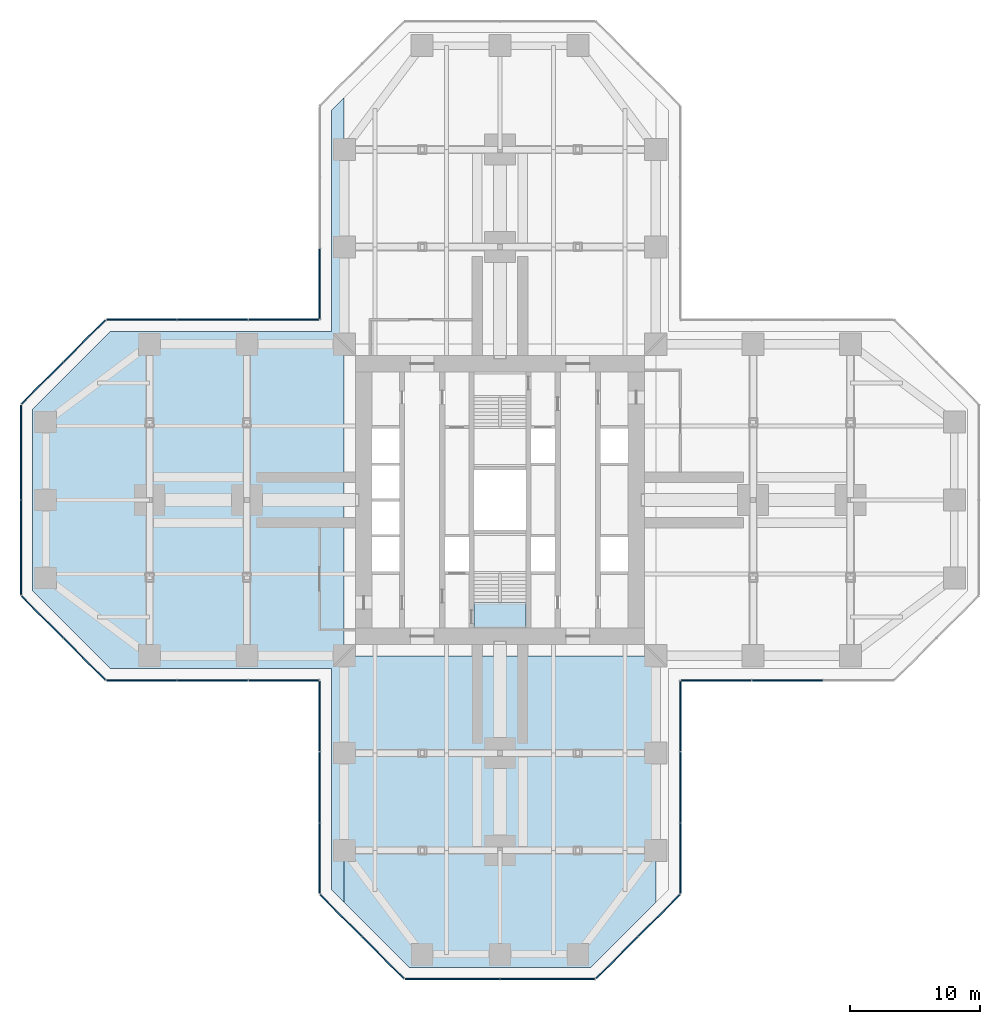
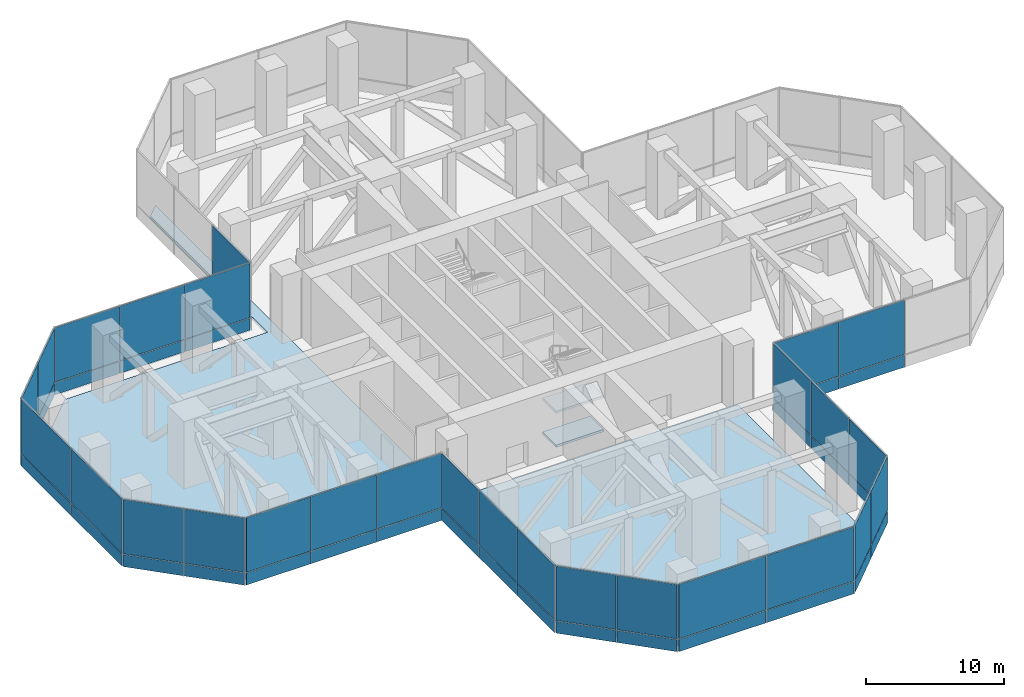
# One storey, part 12 of 19: 54 plates, 4 slabs, 13 elements without a shape of their own.
"""IFC4 building model written with IfcOpenShell, lengths in metres."""

from ifc_helpers import new_model, si_unit, direction, frame, origin, origin_2d, place, context, subcontext, project, spatial, polyline, rectangle, outline, extrude, material, layer, layer_set, type_object, element, aggregate, save


model = new_model("IFC4")

# Units and contexts
model_context = context("Model", 3, precision=1e-05, world=origin(), true_north=direction((0.0, 1.0)))
body_context = subcontext(model_context, "Body", "Model", "MODEL_VIEW")
ifc_project = project(units=[si_unit("LENGTHUNIT", "METRE"), si_unit("AREAUNIT", "SQUARE_METRE"), si_unit("VOLUMEUNIT", "CUBIC_METRE"), si_unit("PLANEANGLEUNIT", "RADIAN"), si_unit("MASSUNIT", "GRAM", prefix="KILO")], contexts=[model_context])

# Site, building, storey
site_placement = place(None, origin())
site = spatial("IfcSite", under=ifc_project, at=site_placement, CompositionType="ELEMENT")
building_placement = place(site_placement, origin())
building = spatial("IfcBuilding", under=site, at=building_placement, Name="Mizan Broadcast Tower", CompositionType="ELEMENT")
storey_placement = place(building_placement, frame((0.0, 0.0, 37.5)))
storey = spatial("IfcBuildingStorey", under=building, at=storey_placement, Name="L06", CompositionType="ELEMENT", Elevation=37.5)

# Curtain wall, plates
ifc_material_1 = material(Name="Aluminium framed glazing", Category="aluminium")
curtain_wall_type = type_object("IfcCurtainWallType", Name="PLANT LOUVRE", PredefinedType="USERDEFINED", material=ifc_material_1)
curtain_wall_1_placement = place(storey_placement, origin())
curtain_wall_1 = element("IfcCurtainWall", 1, at=curtain_wall_1_placement, inside=storey, type_object=curtain_wall_type, Name="Plant louvre L06 E side", ObjectType="PLANT LOUVRE", PredefinedType="USERDEFINED")
ifc_material_2 = material(Name="Extruded aluminium weather louvre, pale anodised", Category="aluminium")
ifc_layer_1 = layer(ifc_material_2, 0.10009765625)
ifc_layer_set_1 = layer_set([ifc_layer_1], Name="Extruded aluminium weather louvre, pale anodised")
plate_type = type_object("IfcPlateType", Name="PLANT LOUVRE PANEL", PredefinedType="USERDEFINED", material=ifc_layer_set_1)
plate_1_placement = place(storey_placement, frame((16.660400390625, -13.89990234375, 0.0), z_axis=(0.0, 0.0, 1.0), x_axis=(1.0, 0.0, 0.0)))
plate_1 = element("IfcPlate", 2, at=plate_1_placement, type_object=plate_type, Name="Plant louvre L06 E side panel 1.1", ObjectType="LOUVRE", PredefinedType="USERDEFINED", context=body_context, shape_type="SweptSolid", body=[
    extrude(rectangle(XDim=5.40087890625, YDim=0.10009765625, at=origin_2d()), origin(), (0.0, 0.0, 1.0), 1.070068359375),
])
plate_2_placement = place(storey_placement, frame((16.660400390625, -13.89990234375, 1.1298828125), z_axis=(0.0, 0.0, 1.0), x_axis=(1.0, 0.0, 0.0)))
plate_2 = element("IfcPlate", 3, at=plate_2_placement, type_object=plate_type, Name="Plant louvre L06 E side panel 1.2", ObjectType="LOUVRE", PredefinedType="USERDEFINED", context=body_context, shape_type="SweptSolid", body=[
    extrude(rectangle(XDim=5.40087890625, YDim=0.10009765625, at=origin_2d()), origin(), (0.0, 0.0, 1.0), 4.81005859375),
])
plate_3_placement = place(storey_placement, frame((22.136474609375, -13.89990234375, 0.0), z_axis=(0.0, 0.0, 1.0), x_axis=(1.0, 0.0, 0.0)))
plate_3 = element("IfcPlate", 4, at=plate_3_placement, type_object=plate_type, Name="Plant louvre L06 E side panel 2.1", ObjectType="LOUVRE", PredefinedType="USERDEFINED", context=body_context, shape_type="SweptSolid", body=[
    extrude(rectangle(XDim=5.430908203125, YDim=0.10009765625, at=origin_2d()), origin(), (0.0, 0.0, 1.0), 1.070068359375),
])
plate_4_placement = place(storey_placement, frame((22.136474609375, -13.89990234375, 1.1298828125), z_axis=(0.0, 0.0, 1.0), x_axis=(1.0, 0.0, 0.0)))
plate_4 = element("IfcPlate", 5, at=plate_4_placement, type_object=plate_type, Name="Plant louvre L06 E side panel 2.2", ObjectType="LOUVRE", PredefinedType="USERDEFINED", context=body_context, shape_type="SweptSolid", body=[
    extrude(rectangle(XDim=5.430908203125, YDim=0.10009765625, at=origin_2d()), origin(), (0.0, 0.0, 1.0), 4.81005859375),
])
aggregate(curtain_wall_1, [plate_1, plate_2, plate_3, plate_4])

curtain_wall_2_placement = place(storey_placement, origin())
curtain_wall_2 = element("IfcCurtainWall", 6, at=curtain_wall_2_placement, inside=storey, type_object=curtain_wall_type, Name="Plant louvre L06 N side", ObjectType="PLANT LOUVRE", PredefinedType="USERDEFINED")
plate_5_placement = place(storey_placement, frame((-13.89990234375, 16.660400390625, 0.0), z_axis=(0.0, 0.0, 1.0), x_axis=(0.0, -1.0, 0.0)))
plate_5 = element("IfcPlate", 7, at=plate_5_placement, type_object=plate_type, Name="Plant louvre L06 N side panel 3.1", ObjectType="LOUVRE", PredefinedType="USERDEFINED", context=body_context, shape_type="SweptSolid", body=[
    extrude(rectangle(XDim=5.40087890625, YDim=0.10009765625, at=origin_2d()), origin(), (0.0, 0.0, 1.0), 1.070068359375),
])
plate_6_placement = place(storey_placement, frame((-13.89990234375, 16.660400390625, 1.1298828125), z_axis=(0.0, 0.0, 1.0), x_axis=(0.0, -1.0, 0.0)))
plate_6 = element("IfcPlate", 8, at=plate_6_placement, type_object=plate_type, Name="Plant louvre L06 N side panel 3.2", ObjectType="LOUVRE", PredefinedType="USERDEFINED", context=body_context, shape_type="SweptSolid", body=[
    extrude(rectangle(XDim=5.40087890625, YDim=0.10009765625, at=origin_2d()), origin(), (0.0, 0.0, 1.0), 4.81005859375),
])
aggregate(curtain_wall_2, [plate_5, plate_6])

curtain_wall_3_placement = place(storey_placement, origin())
curtain_wall_3 = element("IfcCurtainWall", 9, at=curtain_wall_3_placement, inside=storey, type_object=curtain_wall_type, Name="Plant louvre L06 W side", ObjectType="PLANT LOUVRE", PredefinedType="USERDEFINED")
plate_7_placement = place(storey_placement, frame((-16.660400390625, 13.89990234375, 0.0), z_axis=(0.0, 0.0, 1.0), x_axis=(-1.0, 0.0, 0.0)))
plate_7 = element("IfcPlate", 10, at=plate_7_placement, type_object=plate_type, Name="Plant louvre L06 W side panel 1.1", ObjectType="LOUVRE", PredefinedType="USERDEFINED", context=body_context, shape_type="SweptSolid", body=[
    extrude(rectangle(XDim=5.40087890625, YDim=0.10009765625, at=origin_2d()), origin(), (0.0, 0.0, 1.0), 1.070068359375),
])
plate_8_placement = place(storey_placement, frame((-16.660400390625, 13.89990234375, 1.1298828125), z_axis=(0.0, 0.0, 1.0), x_axis=(-1.0, 0.0, 0.0)))
plate_8 = element("IfcPlate", 11, at=plate_8_placement, type_object=plate_type, Name="Plant louvre L06 W side panel 1.2", ObjectType="LOUVRE", PredefinedType="USERDEFINED", context=body_context, shape_type="SweptSolid", body=[
    extrude(rectangle(XDim=5.40087890625, YDim=0.10009765625, at=origin_2d()), origin(), (0.0, 0.0, 1.0), 4.81005859375),
])
plate_9_placement = place(storey_placement, frame((-22.136474609375, 13.89990234375, 0.0), z_axis=(0.0, 0.0, 1.0), x_axis=(-1.0, 0.0, 0.0)))
plate_9 = element("IfcPlate", 12, at=plate_9_placement, type_object=plate_type, Name="Plant louvre L06 W side panel 2.1", ObjectType="LOUVRE", PredefinedType="USERDEFINED", context=body_context, shape_type="SweptSolid", body=[
    extrude(rectangle(XDim=5.430908203125, YDim=0.10009765625, at=origin_2d()), origin(), (0.0, 0.0, 1.0), 1.070068359375),
])
plate_10_placement = place(storey_placement, frame((-22.136474609375, 13.89990234375, 1.1298828125), z_axis=(0.0, 0.0, 1.0), x_axis=(-1.0, 0.0, 0.0)))
plate_10 = element("IfcPlate", 13, at=plate_10_placement, type_object=plate_type, Name="Plant louvre L06 W side panel 2.2", ObjectType="LOUVRE", PredefinedType="USERDEFINED", context=body_context, shape_type="SweptSolid", body=[
    extrude(rectangle(XDim=5.430908203125, YDim=0.10009765625, at=origin_2d()), origin(), (0.0, 0.0, 1.0), 4.81005859375),
])
plate_11_placement = place(storey_placement, frame((-27.6123046875, 13.89990234375, 0.0), z_axis=(0.0, 0.0, 1.0), x_axis=(-1.0, 0.0, 0.0)))
plate_11 = element("IfcPlate", 14, at=plate_11_placement, type_object=plate_type, Name="Plant louvre L06 W side panel 3.1", ObjectType="LOUVRE", PredefinedType="USERDEFINED", context=body_context, shape_type="SweptSolid", body=[
    extrude(rectangle(XDim=5.40087890625, YDim=0.10009765625, at=origin_2d()), origin(), (0.0, 0.0, 1.0), 1.070068359375),
])
plate_12_placement = place(storey_placement, frame((-27.6123046875, 13.89990234375, 1.1298828125), z_axis=(0.0, 0.0, 1.0), x_axis=(-1.0, 0.0, 0.0)))
plate_12 = element("IfcPlate", 15, at=plate_12_placement, type_object=plate_type, Name="Plant louvre L06 W side panel 3.2", ObjectType="LOUVRE", PredefinedType="USERDEFINED", context=body_context, shape_type="SweptSolid", body=[
    extrude(rectangle(XDim=5.40087890625, YDim=0.10009765625, at=origin_2d()), origin(), (0.0, 0.0, 1.0), 4.81005859375),
])
aggregate(curtain_wall_3, [plate_7, plate_8, plate_9, plate_10, plate_11, plate_12])

curtain_wall_4_placement = place(storey_placement, origin())
curtain_wall_4 = element("IfcCurtainWall", 16, at=curtain_wall_4_placement, inside=storey, type_object=curtain_wall_type, Name="Plant louvre L06 W chamfer", ObjectType="PLANT LOUVRE", PredefinedType="USERDEFINED")
plate_13_placement = place(storey_placement, frame((-32.01513671875, 12.257568359375, 0.0), z_axis=(0.0, 0.0, 1.0), x_axis=(-0.707106781187, -0.707106781187, 0.0)))
plate_13 = element("IfcPlate", 17, at=plate_13_placement, type_object=plate_type, Name="Plant louvre L06 W chamfer panel 1.1", ObjectType="LOUVRE", PredefinedType="USERDEFINED", context=body_context, shape_type="SweptSolid", body=[
    extrude(rectangle(XDim=4.525390625, YDim=0.10009765625, at=origin_2d()), origin(), (0.0, 0.0, 1.0), 1.070068359375),
])
plate_14_placement = place(storey_placement, frame((-32.01513671875, 12.257568359375, 1.1298828125), z_axis=(0.0, 0.0, 1.0), x_axis=(-0.707106781187, -0.707106781187, 0.0)))
plate_14 = element("IfcPlate", 18, at=plate_14_placement, type_object=plate_type, Name="Plant louvre L06 W chamfer panel 1.2", ObjectType="LOUVRE", PredefinedType="USERDEFINED", context=body_context, shape_type="SweptSolid", body=[
    extrude(rectangle(XDim=4.525390625, YDim=0.10009765625, at=origin_2d()), origin(), (0.0, 0.0, 1.0), 4.81005859375),
])
plate_15_placement = place(storey_placement, frame((-35.257568359375, 9.01513671875, 0.0), z_axis=(0.0, 0.0, 1.0), x_axis=(-0.707106781187, -0.707106781187, 0.0)))
plate_15 = element("IfcPlate", 19, at=plate_15_placement, type_object=plate_type, Name="Plant louvre L06 W chamfer panel 2.1", ObjectType="LOUVRE", PredefinedType="USERDEFINED", context=body_context, shape_type="SweptSolid", body=[
    extrude(rectangle(XDim=4.525390625, YDim=0.10009765625, at=origin_2d()), origin(), (0.0, 0.0, 1.0), 1.070068359375),
])
plate_16_placement = place(storey_placement, frame((-35.257568359375, 9.01513671875, 1.1298828125), z_axis=(0.0, 0.0, 1.0), x_axis=(-0.707106781187, -0.707106781187, 0.0)))
plate_16 = element("IfcPlate", 20, at=plate_16_placement, type_object=plate_type, Name="Plant louvre L06 W chamfer panel 2.2", ObjectType="LOUVRE", PredefinedType="USERDEFINED", context=body_context, shape_type="SweptSolid", body=[
    extrude(rectangle(XDim=4.525390625, YDim=0.10009765625, at=origin_2d()), origin(), (0.0, 0.0, 1.0), 4.81005859375),
])
aggregate(curtain_wall_4, [plate_13, plate_14, plate_15, plate_16])

curtain_wall_5_placement = place(storey_placement, origin())
curtain_wall_5 = element("IfcCurtainWall", 21, at=curtain_wall_5_placement, inside=storey, type_object=curtain_wall_type, Name="Plant louvre L06 W end", ObjectType="PLANT LOUVRE", PredefinedType="USERDEFINED")
plate_17_placement = place(storey_placement, frame((-36.89990234375, 3.67138671875, 0.0), z_axis=(0.0, 0.0, 1.0), x_axis=(0.0, -1.0, 0.0)))
plate_17 = element("IfcPlate", 22, at=plate_17_placement, type_object=plate_type, Name="Plant louvre L06 W end panel 1.1", ObjectType="LOUVRE", PredefinedType="USERDEFINED", context=body_context, shape_type="SweptSolid", body=[
    extrude(rectangle(XDim=7.28271484375, YDim=0.10009765625, at=origin_2d()), origin(), (0.0, 0.0, 1.0), 1.070068359375),
])
plate_18_placement = place(storey_placement, frame((-36.89990234375, 3.67138671875, 1.1298828125), z_axis=(0.0, 0.0, 1.0), x_axis=(0.0, -1.0, 0.0)))
plate_18 = element("IfcPlate", 23, at=plate_18_placement, type_object=plate_type, Name="Plant louvre L06 W end panel 1.2", ObjectType="LOUVRE", PredefinedType="USERDEFINED", context=body_context, shape_type="SweptSolid", body=[
    extrude(rectangle(XDim=7.28271484375, YDim=0.10009765625, at=origin_2d()), origin(), (0.0, 0.0, 1.0), 4.81005859375),
])
plate_19_placement = place(storey_placement, frame((-36.89990234375, -3.67138671875, 0.0), z_axis=(0.0, 0.0, 1.0), x_axis=(0.0, -1.0, 0.0)))
plate_19 = element("IfcPlate", 24, at=plate_19_placement, type_object=plate_type, Name="Plant louvre L06 W end panel 2.1", ObjectType="LOUVRE", PredefinedType="USERDEFINED", context=body_context, shape_type="SweptSolid", body=[
    extrude(rectangle(XDim=7.28271484375, YDim=0.10009765625, at=origin_2d()), origin(), (0.0, 0.0, 1.0), 1.070068359375),
])
plate_20_placement = place(storey_placement, frame((-36.89990234375, -3.67138671875, 1.1298828125), z_axis=(0.0, 0.0, 1.0), x_axis=(0.0, -1.0, 0.0)))
plate_20 = element("IfcPlate", 25, at=plate_20_placement, type_object=plate_type, Name="Plant louvre L06 W end panel 2.2", ObjectType="LOUVRE", PredefinedType="USERDEFINED", context=body_context, shape_type="SweptSolid", body=[
    extrude(rectangle(XDim=7.28271484375, YDim=0.10009765625, at=origin_2d()), origin(), (0.0, 0.0, 1.0), 4.81005859375),
])
aggregate(curtain_wall_5, [plate_17, plate_18, plate_19, plate_20])

curtain_wall_6_placement = place(storey_placement, origin())
curtain_wall_6 = element("IfcCurtainWall", 26, at=curtain_wall_6_placement, inside=storey, type_object=curtain_wall_type, Name="Plant louvre L06 W chamfer", ObjectType="PLANT LOUVRE", PredefinedType="USERDEFINED")
plate_21_placement = place(storey_placement, frame((-35.257568359375, -9.01513671875, 0.0), z_axis=(0.0, 0.0, 1.0), x_axis=(0.707106781187, -0.707106781187, 0.0)))
plate_21 = element("IfcPlate", 27, at=plate_21_placement, type_object=plate_type, Name="Plant louvre L06 W chamfer panel 1.1", ObjectType="LOUVRE", PredefinedType="USERDEFINED", context=body_context, shape_type="SweptSolid", body=[
    extrude(rectangle(XDim=4.525390625, YDim=0.10009765625, at=origin_2d()), origin(), (0.0, 0.0, 1.0), 1.070068359375),
])
plate_22_placement = place(storey_placement, frame((-35.257568359375, -9.01513671875, 1.1298828125), z_axis=(0.0, 0.0, 1.0), x_axis=(0.707106781187, -0.707106781187, 0.0)))
plate_22 = element("IfcPlate", 28, at=plate_22_placement, type_object=plate_type, Name="Plant louvre L06 W chamfer panel 1.2", ObjectType="LOUVRE", PredefinedType="USERDEFINED", context=body_context, shape_type="SweptSolid", body=[
    extrude(rectangle(XDim=4.525390625, YDim=0.10009765625, at=origin_2d()), origin(), (0.0, 0.0, 1.0), 4.81005859375),
])
plate_23_placement = place(storey_placement, frame((-32.01513671875, -12.257568359375, 0.0), z_axis=(0.0, 0.0, 1.0), x_axis=(0.707106781187, -0.707106781187, 0.0)))
plate_23 = element("IfcPlate", 29, at=plate_23_placement, type_object=plate_type, Name="Plant louvre L06 W chamfer panel 2.1", ObjectType="LOUVRE", PredefinedType="USERDEFINED", context=body_context, shape_type="SweptSolid", body=[
    extrude(rectangle(XDim=4.525390625, YDim=0.10009765625, at=origin_2d()), origin(), (0.0, 0.0, 1.0), 1.070068359375),
])
plate_24_placement = place(storey_placement, frame((-32.01513671875, -12.257568359375, 1.1298828125), z_axis=(0.0, 0.0, 1.0), x_axis=(0.707106781187, -0.707106781187, 0.0)))
plate_24 = element("IfcPlate", 30, at=plate_24_placement, type_object=plate_type, Name="Plant louvre L06 W chamfer panel 2.2", ObjectType="LOUVRE", PredefinedType="USERDEFINED", context=body_context, shape_type="SweptSolid", body=[
    extrude(rectangle(XDim=4.525390625, YDim=0.10009765625, at=origin_2d()), origin(), (0.0, 0.0, 1.0), 4.81005859375),
])
aggregate(curtain_wall_6, [plate_21, plate_22, plate_23, plate_24])

curtain_wall_7_placement = place(storey_placement, origin())
curtain_wall_7 = element("IfcCurtainWall", 31, at=curtain_wall_7_placement, inside=storey, type_object=curtain_wall_type, Name="Plant louvre L06 W side", ObjectType="PLANT LOUVRE", PredefinedType="USERDEFINED")
plate_25_placement = place(storey_placement, frame((-27.6123046875, -13.89990234375, 0.0), z_axis=(0.0, 0.0, 1.0), x_axis=(1.0, 0.0, 0.0)))
plate_25 = element("IfcPlate", 32, at=plate_25_placement, type_object=plate_type, Name="Plant louvre L06 W side panel 1.1", ObjectType="LOUVRE", PredefinedType="USERDEFINED", context=body_context, shape_type="SweptSolid", body=[
    extrude(rectangle(XDim=5.40087890625, YDim=0.10009765625, at=origin_2d()), origin(), (0.0, 0.0, 1.0), 1.070068359375),
])
plate_26_placement = place(storey_placement, frame((-27.6123046875, -13.89990234375, 1.1298828125), z_axis=(0.0, 0.0, 1.0), x_axis=(1.0, 0.0, 0.0)))
plate_26 = element("IfcPlate", 33, at=plate_26_placement, type_object=plate_type, Name="Plant louvre L06 W side panel 1.2", ObjectType="LOUVRE", PredefinedType="USERDEFINED", context=body_context, shape_type="SweptSolid", body=[
    extrude(rectangle(XDim=5.40087890625, YDim=0.10009765625, at=origin_2d()), origin(), (0.0, 0.0, 1.0), 4.81005859375),
])
plate_27_placement = place(storey_placement, frame((-22.136474609375, -13.89990234375, 0.0), z_axis=(0.0, 0.0, 1.0), x_axis=(1.0, 0.0, 0.0)))
plate_27 = element("IfcPlate", 34, at=plate_27_placement, type_object=plate_type, Name="Plant louvre L06 W side panel 2.1", ObjectType="LOUVRE", PredefinedType="USERDEFINED", context=body_context, shape_type="SweptSolid", body=[
    extrude(rectangle(XDim=5.430908203125, YDim=0.10009765625, at=origin_2d()), origin(), (0.0, 0.0, 1.0), 1.070068359375),
])
plate_28_placement = place(storey_placement, frame((-22.136474609375, -13.89990234375, 1.1298828125), z_axis=(0.0, 0.0, 1.0), x_axis=(1.0, 0.0, 0.0)))
plate_28 = element("IfcPlate", 35, at=plate_28_placement, type_object=plate_type, Name="Plant louvre L06 W side panel 2.2", ObjectType="LOUVRE", PredefinedType="USERDEFINED", context=body_context, shape_type="SweptSolid", body=[
    extrude(rectangle(XDim=5.430908203125, YDim=0.10009765625, at=origin_2d()), origin(), (0.0, 0.0, 1.0), 4.81005859375),
])
plate_29_placement = place(storey_placement, frame((-16.660400390625, -13.89990234375, 0.0), z_axis=(0.0, 0.0, 1.0), x_axis=(1.0, 0.0, 0.0)))
plate_29 = element("IfcPlate", 36, at=plate_29_placement, type_object=plate_type, Name="Plant louvre L06 W side panel 3.1", ObjectType="LOUVRE", PredefinedType="USERDEFINED", context=body_context, shape_type="SweptSolid", body=[
    extrude(rectangle(XDim=5.40087890625, YDim=0.10009765625, at=origin_2d()), origin(), (0.0, 0.0, 1.0), 1.070068359375),
])
plate_30_placement = place(storey_placement, frame((-16.660400390625, -13.89990234375, 1.1298828125), z_axis=(0.0, 0.0, 1.0), x_axis=(1.0, 0.0, 0.0)))
plate_30 = element("IfcPlate", 37, at=plate_30_placement, type_object=plate_type, Name="Plant louvre L06 W side panel 3.2", ObjectType="LOUVRE", PredefinedType="USERDEFINED", context=body_context, shape_type="SweptSolid", body=[
    extrude(rectangle(XDim=5.40087890625, YDim=0.10009765625, at=origin_2d()), origin(), (0.0, 0.0, 1.0), 4.81005859375),
])
aggregate(curtain_wall_7, [plate_25, plate_26, plate_27, plate_28, plate_29, plate_30])

curtain_wall_8_placement = place(storey_placement, origin())
curtain_wall_8 = element("IfcCurtainWall", 38, at=curtain_wall_8_placement, inside=storey, type_object=curtain_wall_type, Name="Plant louvre L06 S side", ObjectType="PLANT LOUVRE", PredefinedType="USERDEFINED")
plate_31_placement = place(storey_placement, frame((-13.89990234375, -16.660400390625, 0.0), z_axis=(0.0, 0.0, 1.0), x_axis=(0.0, -1.0, 0.0)))
plate_31 = element("IfcPlate", 39, at=plate_31_placement, type_object=plate_type, Name="Plant louvre L06 S side panel 1.1", ObjectType="LOUVRE", PredefinedType="USERDEFINED", context=body_context, shape_type="SweptSolid", body=[
    extrude(rectangle(XDim=5.40087890625, YDim=0.10009765625, at=origin_2d()), origin(), (0.0, 0.0, 1.0), 1.070068359375),
])
plate_32_placement = place(storey_placement, frame((-13.89990234375, -16.660400390625, 1.1298828125), z_axis=(0.0, 0.0, 1.0), x_axis=(0.0, -1.0, 0.0)))
plate_32 = element("IfcPlate", 40, at=plate_32_placement, type_object=plate_type, Name="Plant louvre L06 S side panel 1.2", ObjectType="LOUVRE", PredefinedType="USERDEFINED", context=body_context, shape_type="SweptSolid", body=[
    extrude(rectangle(XDim=5.40087890625, YDim=0.10009765625, at=origin_2d()), origin(), (0.0, 0.0, 1.0), 4.81005859375),
])
plate_33_placement = place(storey_placement, frame((-13.89990234375, -22.136474609375, 0.0), z_axis=(0.0, 0.0, 1.0), x_axis=(0.0, -1.0, 0.0)))
plate_33 = element("IfcPlate", 41, at=plate_33_placement, type_object=plate_type, Name="Plant louvre L06 S side panel 2.1", ObjectType="LOUVRE", PredefinedType="USERDEFINED", context=body_context, shape_type="SweptSolid", body=[
    extrude(rectangle(XDim=5.430908203125, YDim=0.10009765625, at=origin_2d()), origin(), (0.0, 0.0, 1.0), 1.070068359375),
])
plate_34_placement = place(storey_placement, frame((-13.89990234375, -22.136474609375, 1.1298828125), z_axis=(0.0, 0.0, 1.0), x_axis=(0.0, -1.0, 0.0)))
plate_34 = element("IfcPlate", 42, at=plate_34_placement, type_object=plate_type, Name="Plant louvre L06 S side panel 2.2", ObjectType="LOUVRE", PredefinedType="USERDEFINED", context=body_context, shape_type="SweptSolid", body=[
    extrude(rectangle(XDim=5.430908203125, YDim=0.10009765625, at=origin_2d()), origin(), (0.0, 0.0, 1.0), 4.81005859375),
])
plate_35_placement = place(storey_placement, frame((-13.89990234375, -27.6123046875, 0.0), z_axis=(0.0, 0.0, 1.0), x_axis=(0.0, -1.0, 0.0)))
plate_35 = element("IfcPlate", 43, at=plate_35_placement, type_object=plate_type, Name="Plant louvre L06 S side panel 3.1", ObjectType="LOUVRE", PredefinedType="USERDEFINED", context=body_context, shape_type="SweptSolid", body=[
    extrude(rectangle(XDim=5.40087890625, YDim=0.10009765625, at=origin_2d()), origin(), (0.0, 0.0, 1.0), 1.070068359375),
])
plate_36_placement = place(storey_placement, frame((-13.89990234375, -27.6123046875, 1.1298828125), z_axis=(0.0, 0.0, 1.0), x_axis=(0.0, -1.0, 0.0)))
plate_36 = element("IfcPlate", 44, at=plate_36_placement, type_object=plate_type, Name="Plant louvre L06 S side panel 3.2", ObjectType="LOUVRE", PredefinedType="USERDEFINED", context=body_context, shape_type="SweptSolid", body=[
    extrude(rectangle(XDim=5.40087890625, YDim=0.10009765625, at=origin_2d()), origin(), (0.0, 0.0, 1.0), 4.81005859375),
])
aggregate(curtain_wall_8, [plate_31, plate_32, plate_33, plate_34, plate_35, plate_36])

curtain_wall_9_placement = place(storey_placement, origin())
curtain_wall_9 = element("IfcCurtainWall", 45, at=curtain_wall_9_placement, inside=storey, type_object=curtain_wall_type, Name="Plant louvre L06 S chamfer", ObjectType="PLANT LOUVRE", PredefinedType="USERDEFINED")
plate_37_placement = place(storey_placement, frame((-12.257568359375, -32.01513671875, 0.0), z_axis=(0.0, 0.0, 1.0), x_axis=(0.707106781187, -0.707106781187, 0.0)))
plate_37 = element("IfcPlate", 46, at=plate_37_placement, type_object=plate_type, Name="Plant louvre L06 S chamfer panel 1.1", ObjectType="LOUVRE", PredefinedType="USERDEFINED", context=body_context, shape_type="SweptSolid", body=[
    extrude(rectangle(XDim=4.525390625, YDim=0.10009765625, at=origin_2d()), origin(), (0.0, 0.0, 1.0), 1.070068359375),
])
plate_38_placement = place(storey_placement, frame((-12.257568359375, -32.01513671875, 1.1298828125), z_axis=(0.0, 0.0, 1.0), x_axis=(0.707106781187, -0.707106781187, 0.0)))
plate_38 = element("IfcPlate", 47, at=plate_38_placement, type_object=plate_type, Name="Plant louvre L06 S chamfer panel 1.2", ObjectType="LOUVRE", PredefinedType="USERDEFINED", context=body_context, shape_type="SweptSolid", body=[
    extrude(rectangle(XDim=4.525390625, YDim=0.10009765625, at=origin_2d()), origin(), (0.0, 0.0, 1.0), 4.81005859375),
])
plate_39_placement = place(storey_placement, frame((-9.01513671875, -35.257568359375, 0.0), z_axis=(0.0, 0.0, 1.0), x_axis=(0.707106781187, -0.707106781187, 0.0)))
plate_39 = element("IfcPlate", 48, at=plate_39_placement, type_object=plate_type, Name="Plant louvre L06 S chamfer panel 2.1", ObjectType="LOUVRE", PredefinedType="USERDEFINED", context=body_context, shape_type="SweptSolid", body=[
    extrude(rectangle(XDim=4.525390625, YDim=0.10009765625, at=origin_2d()), origin(), (0.0, 0.0, 1.0), 1.070068359375),
])
plate_40_placement = place(storey_placement, frame((-9.01513671875, -35.257568359375, 1.1298828125), z_axis=(0.0, 0.0, 1.0), x_axis=(0.707106781187, -0.707106781187, 0.0)))
plate_40 = element("IfcPlate", 49, at=plate_40_placement, type_object=plate_type, Name="Plant louvre L06 S chamfer panel 2.2", ObjectType="LOUVRE", PredefinedType="USERDEFINED", context=body_context, shape_type="SweptSolid", body=[
    extrude(rectangle(XDim=4.525390625, YDim=0.10009765625, at=origin_2d()), origin(), (0.0, 0.0, 1.0), 4.81005859375),
])
aggregate(curtain_wall_9, [plate_37, plate_38, plate_39, plate_40])

curtain_wall_10_placement = place(storey_placement, origin())
curtain_wall_10 = element("IfcCurtainWall", 50, at=curtain_wall_10_placement, inside=storey, type_object=curtain_wall_type, Name="Plant louvre L06 S end", ObjectType="PLANT LOUVRE", PredefinedType="USERDEFINED")
plate_41_placement = place(storey_placement, frame((-3.67138671875, -36.89990234375, 0.0), z_axis=(0.0, 0.0, 1.0), x_axis=(1.0, 0.0, 0.0)))
plate_41 = element("IfcPlate", 51, at=plate_41_placement, type_object=plate_type, Name="Plant louvre L06 S end panel 1.1", ObjectType="LOUVRE", PredefinedType="USERDEFINED", context=body_context, shape_type="SweptSolid", body=[
    extrude(rectangle(XDim=7.28271484375, YDim=0.10009765625, at=origin_2d()), origin(), (0.0, 0.0, 1.0), 1.070068359375),
])
plate_42_placement = place(storey_placement, frame((-3.67138671875, -36.89990234375, 1.1298828125), z_axis=(0.0, 0.0, 1.0), x_axis=(1.0, 0.0, 0.0)))
plate_42 = element("IfcPlate", 52, at=plate_42_placement, type_object=plate_type, Name="Plant louvre L06 S end panel 1.2", ObjectType="LOUVRE", PredefinedType="USERDEFINED", context=body_context, shape_type="SweptSolid", body=[
    extrude(rectangle(XDim=7.28271484375, YDim=0.10009765625, at=origin_2d()), origin(), (0.0, 0.0, 1.0), 4.81005859375),
])
plate_43_placement = place(storey_placement, frame((3.67138671875, -36.89990234375, 0.0), z_axis=(0.0, 0.0, 1.0), x_axis=(1.0, 0.0, 0.0)))
plate_43 = element("IfcPlate", 53, at=plate_43_placement, type_object=plate_type, Name="Plant louvre L06 S end panel 2.1", ObjectType="LOUVRE", PredefinedType="USERDEFINED", context=body_context, shape_type="SweptSolid", body=[
    extrude(rectangle(XDim=7.28271484375, YDim=0.10009765625, at=origin_2d()), origin(), (0.0, 0.0, 1.0), 1.070068359375),
])
plate_44_placement = place(storey_placement, frame((3.67138671875, -36.89990234375, 1.1298828125), z_axis=(0.0, 0.0, 1.0), x_axis=(1.0, 0.0, 0.0)))
plate_44 = element("IfcPlate", 54, at=plate_44_placement, type_object=plate_type, Name="Plant louvre L06 S end panel 2.2", ObjectType="LOUVRE", PredefinedType="USERDEFINED", context=body_context, shape_type="SweptSolid", body=[
    extrude(rectangle(XDim=7.28271484375, YDim=0.10009765625, at=origin_2d()), origin(), (0.0, 0.0, 1.0), 4.81005859375),
])
aggregate(curtain_wall_10, [plate_41, plate_42, plate_43, plate_44])

curtain_wall_11_placement = place(storey_placement, origin())
curtain_wall_11 = element("IfcCurtainWall", 55, at=curtain_wall_11_placement, inside=storey, type_object=curtain_wall_type, Name="Plant louvre L06 S chamfer", ObjectType="PLANT LOUVRE", PredefinedType="USERDEFINED")
plate_45_placement = place(storey_placement, frame((9.01513671875, -35.257568359375, 0.0), z_axis=(0.0, 0.0, 1.0), x_axis=(0.707106781187, 0.707106781187, 0.0)))
plate_45 = element("IfcPlate", 56, at=plate_45_placement, type_object=plate_type, Name="Plant louvre L06 S chamfer panel 1.1", ObjectType="LOUVRE", PredefinedType="USERDEFINED", context=body_context, shape_type="SweptSolid", body=[
    extrude(rectangle(XDim=4.525390625, YDim=0.10009765625, at=origin_2d()), origin(), (0.0, 0.0, 1.0), 1.070068359375),
])
plate_46_placement = place(storey_placement, frame((9.01513671875, -35.257568359375, 1.1298828125), z_axis=(0.0, 0.0, 1.0), x_axis=(0.707106781187, 0.707106781187, 0.0)))
plate_46 = element("IfcPlate", 57, at=plate_46_placement, type_object=plate_type, Name="Plant louvre L06 S chamfer panel 1.2", ObjectType="LOUVRE", PredefinedType="USERDEFINED", context=body_context, shape_type="SweptSolid", body=[
    extrude(rectangle(XDim=4.525390625, YDim=0.10009765625, at=origin_2d()), origin(), (0.0, 0.0, 1.0), 4.81005859375),
])
plate_47_placement = place(storey_placement, frame((12.257568359375, -32.01513671875, 0.0), z_axis=(0.0, 0.0, 1.0), x_axis=(0.707106781187, 0.707106781187, 0.0)))
plate_47 = element("IfcPlate", 58, at=plate_47_placement, type_object=plate_type, Name="Plant louvre L06 S chamfer panel 2.1", ObjectType="LOUVRE", PredefinedType="USERDEFINED", context=body_context, shape_type="SweptSolid", body=[
    extrude(rectangle(XDim=4.525390625, YDim=0.10009765625, at=origin_2d()), origin(), (0.0, 0.0, 1.0), 1.070068359375),
])
plate_48_placement = place(storey_placement, frame((12.257568359375, -32.01513671875, 1.1298828125), z_axis=(0.0, 0.0, 1.0), x_axis=(0.707106781187, 0.707106781187, 0.0)))
plate_48 = element("IfcPlate", 59, at=plate_48_placement, type_object=plate_type, Name="Plant louvre L06 S chamfer panel 2.2", ObjectType="LOUVRE", PredefinedType="USERDEFINED", context=body_context, shape_type="SweptSolid", body=[
    extrude(rectangle(XDim=4.525390625, YDim=0.10009765625, at=origin_2d()), origin(), (0.0, 0.0, 1.0), 4.81005859375),
])
aggregate(curtain_wall_11, [plate_45, plate_46, plate_47, plate_48])

curtain_wall_12_placement = place(storey_placement, origin())
curtain_wall_12 = element("IfcCurtainWall", 60, at=curtain_wall_12_placement, inside=storey, type_object=curtain_wall_type, Name="Plant louvre L06 S side", ObjectType="PLANT LOUVRE", PredefinedType="USERDEFINED")
plate_49_placement = place(storey_placement, frame((13.89990234375, -27.6123046875, 0.0), z_axis=(0.0, 0.0, 1.0), x_axis=(0.0, 1.0, 0.0)))
plate_49 = element("IfcPlate", 61, at=plate_49_placement, type_object=plate_type, Name="Plant louvre L06 S side panel 1.1", ObjectType="LOUVRE", PredefinedType="USERDEFINED", context=body_context, shape_type="SweptSolid", body=[
    extrude(rectangle(XDim=5.40087890625, YDim=0.10009765625, at=origin_2d()), origin(), (0.0, 0.0, 1.0), 1.070068359375),
])
plate_50_placement = place(storey_placement, frame((13.89990234375, -27.6123046875, 1.1298828125), z_axis=(0.0, 0.0, 1.0), x_axis=(0.0, 1.0, 0.0)))
plate_50 = element("IfcPlate", 62, at=plate_50_placement, type_object=plate_type, Name="Plant louvre L06 S side panel 1.2", ObjectType="LOUVRE", PredefinedType="USERDEFINED", context=body_context, shape_type="SweptSolid", body=[
    extrude(rectangle(XDim=5.40087890625, YDim=0.10009765625, at=origin_2d()), origin(), (0.0, 0.0, 1.0), 4.81005859375),
])
plate_51_placement = place(storey_placement, frame((13.89990234375, -22.136474609375, 0.0), z_axis=(0.0, 0.0, 1.0), x_axis=(0.0, 1.0, 0.0)))
plate_51 = element("IfcPlate", 63, at=plate_51_placement, type_object=plate_type, Name="Plant louvre L06 S side panel 2.1", ObjectType="LOUVRE", PredefinedType="USERDEFINED", context=body_context, shape_type="SweptSolid", body=[
    extrude(rectangle(XDim=5.430908203125, YDim=0.10009765625, at=origin_2d()), origin(), (0.0, 0.0, 1.0), 1.070068359375),
])
plate_52_placement = place(storey_placement, frame((13.89990234375, -22.136474609375, 1.1298828125), z_axis=(0.0, 0.0, 1.0), x_axis=(0.0, 1.0, 0.0)))
plate_52 = element("IfcPlate", 64, at=plate_52_placement, type_object=plate_type, Name="Plant louvre L06 S side panel 2.2", ObjectType="LOUVRE", PredefinedType="USERDEFINED", context=body_context, shape_type="SweptSolid", body=[
    extrude(rectangle(XDim=5.430908203125, YDim=0.10009765625, at=origin_2d()), origin(), (0.0, 0.0, 1.0), 4.81005859375),
])
plate_53_placement = place(storey_placement, frame((13.89990234375, -16.660400390625, 0.0), z_axis=(0.0, 0.0, 1.0), x_axis=(0.0, 1.0, 0.0)))
plate_53 = element("IfcPlate", 65, at=plate_53_placement, type_object=plate_type, Name="Plant louvre L06 S side panel 3.1", ObjectType="LOUVRE", PredefinedType="USERDEFINED", context=body_context, shape_type="SweptSolid", body=[
    extrude(rectangle(XDim=5.40087890625, YDim=0.10009765625, at=origin_2d()), origin(), (0.0, 0.0, 1.0), 1.070068359375),
])
plate_54_placement = place(storey_placement, frame((13.89990234375, -16.660400390625, 1.1298828125), z_axis=(0.0, 0.0, 1.0), x_axis=(0.0, 1.0, 0.0)))
plate_54 = element("IfcPlate", 66, at=plate_54_placement, type_object=plate_type, Name="Plant louvre L06 S side panel 3.2", ObjectType="LOUVRE", PredefinedType="USERDEFINED", context=body_context, shape_type="SweptSolid", body=[
    extrude(rectangle(XDim=5.40087890625, YDim=0.10009765625, at=origin_2d()), origin(), (0.0, 0.0, 1.0), 4.81005859375),
])
aggregate(curtain_wall_12, [plate_49, plate_50, plate_51, plate_52, plate_53, plate_54])

# Slabs
ifc_material_3 = material(Name="Concrete C40/50", Category="concrete")
ifc_layer_2 = layer(ifc_material_3, 0.25)
ifc_layer_set_2 = layer_set([ifc_layer_2], Name="Concrete C40/50")
slab_type_1 = type_object("IfcSlabType", Name="RC FLAT SLAB 250", PredefinedType="FLOOR", material=ifc_layer_set_2)
slab_1_placement = place(storey_placement, frame((0.0, 0.0, -0.25)))
element("IfcSlab", 67, at=slab_1_placement, inside=storey, type_object=slab_type_1, Name="Floor slab L06 west arm", PredefinedType="FLOOR", context=body_context, shape_type="SweptSolid", body=[
    extrude(outline(polyline([(-13.0, -30.0), (-12.0, -31.0), (-12.0, 31.0), (-13.0, 30.0), (-13.0, 13.0), (-30.0, 13.0), (-36.0, 7.0), (-36.0, -7.0), (-30.0, -13.0), (-13.0, -13.0), (-13.0, -30.0)])), origin(), (0.0, 0.0, 1.0), 0.25),
])
slab_2_placement = place(storey_placement, frame((0.0, 0.0, -0.25)))
element("IfcSlab", 68, at=slab_2_placement, inside=storey, type_object=slab_type_1, Name="Floor slab L06 south arm", PredefinedType="FLOOR", context=body_context, shape_type="SweptSolid", body=[
    extrude(outline(polyline([(7.0, -36.0), (12.0, -31.0), (12.0, -12.0), (-12.0, -12.0), (-12.0, -31.0), (-7.0, -36.0), (7.0, -36.0)])), origin(), (0.0, 0.0, 1.0), 0.25),
])

# Stair, slabs
ifc_material_4 = material(Name="Concrete C40/50", Category="concrete")
stair_type = type_object("IfcStairType", Name="EXIT STAIR", PredefinedType="HALF_TURN_STAIR", material=ifc_material_4)
stair_placement = place(storey_placement, origin())
stair = element("IfcStair", 69, at=stair_placement, inside=storey, type_object=stair_type, Name="Stair A L06", PredefinedType="HALF_TURN_STAIR")
ifc_material_5 = material(Name="Concrete C40/50", Category="concrete")
ifc_layer_3 = layer(ifc_material_5, 0.199951171875)
ifc_layer_set_3 = layer_set([ifc_layer_3], Name="Concrete C40/50")
slab_type_2 = type_object("IfcSlabType", Name="STAIR LANDING 200", PredefinedType="LANDING", material=ifc_layer_set_3)
slab_3_placement = place(storey_placement, frame((0.0, 0.0, -0.199951171875)))
slab_3 = element("IfcSlab", 70, at=slab_3_placement, type_object=slab_type_2, Name="A landing 1", PredefinedType="LANDING", context=body_context, shape_type="SweptSolid", body=[
    extrude(outline(polyline([(-2.0, -9.85009765625), (-2.0, -7.89990234375), (2.0, -7.89990234375), (2.0, -9.85009765625), (-2.0, -9.85009765625)])), origin(), (0.0, 0.0, 1.0), 0.199951171875),
])
slab_4_placement = place(storey_placement, frame((0.0, 0.0, 2.800048828125)))
slab_4 = element("IfcSlab", 71, at=slab_4_placement, type_object=slab_type_2, Name="A landing 3", PredefinedType="LANDING", context=body_context, shape_type="SweptSolid", body=[
    extrude(outline(polyline([(-2.0, -9.85009765625), (-2.0, -7.89990234375), (2.0, -7.89990234375), (2.0, -9.85009765625), (-2.0, -9.85009765625)])), origin(), (0.0, 0.0, 1.0), 0.199951171875),
])
aggregate(stair, [slab_3, slab_4])

save(model, "model.ifc")
